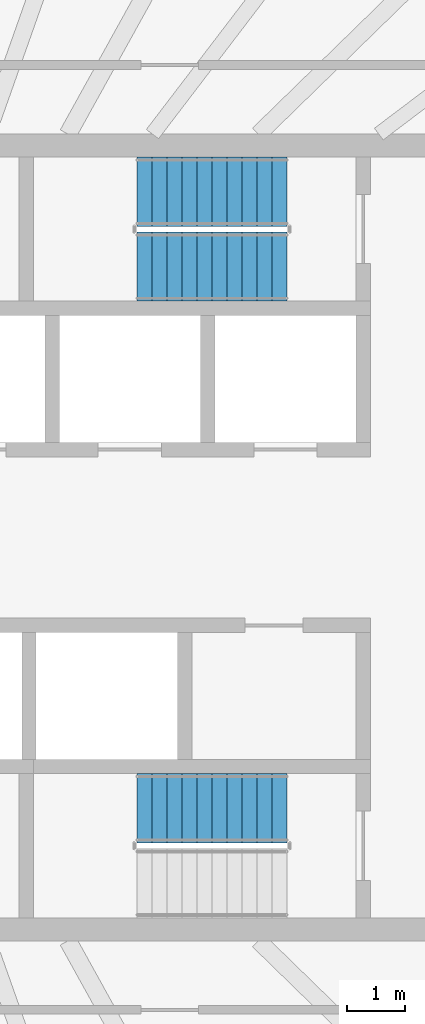
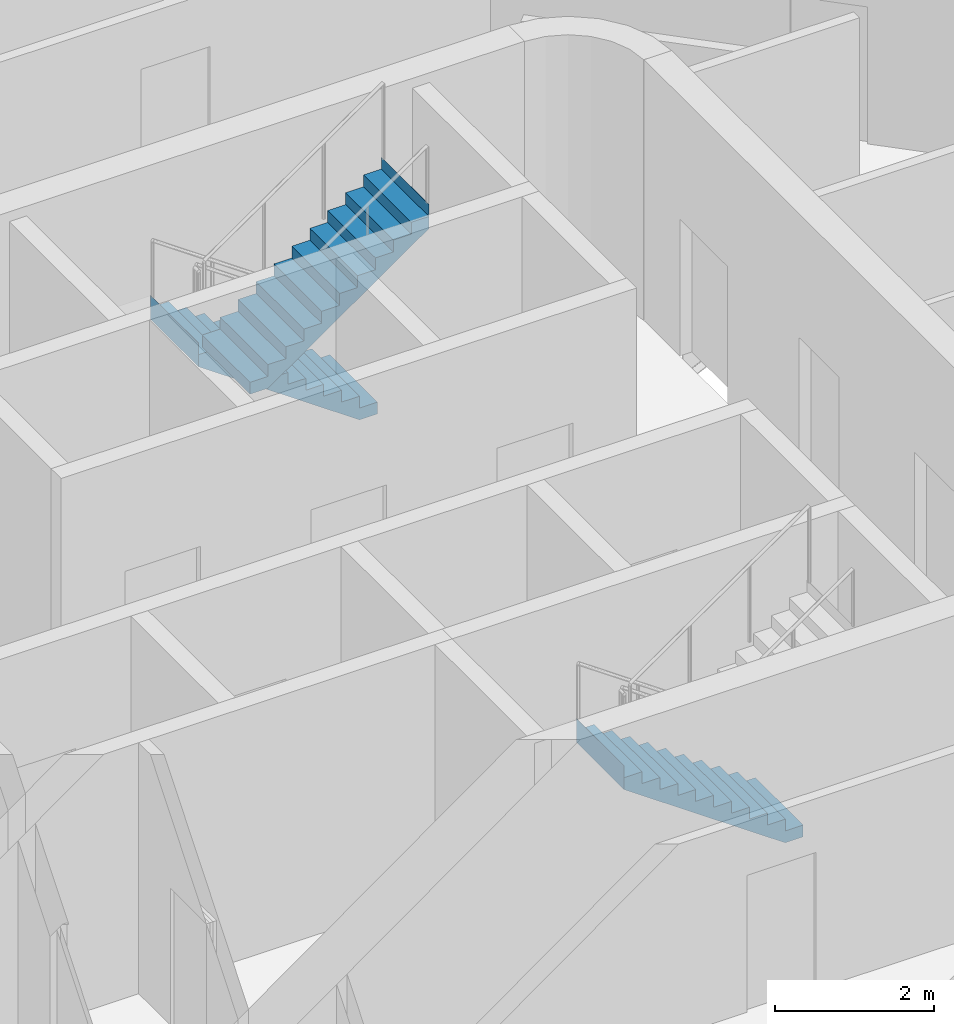
# One storey, part 13 of 18: 3 stair flights, 2 elements without a shape of their own.
"""IFC4 building model written with IfcOpenShell, lengths in metres."""

from ifc_helpers import new_model, si_unit, direction, frame, origin, place, context, subcontext, project, spatial, triangles, material, type_object, element, aggregate, save


model = new_model("IFC4")

# Units and contexts
model_context = context("Model", 3, precision=1e-05, world=origin(), true_north=direction((0.0, 1.0)))
body_context = subcontext(model_context, "Body", "Model", "MODEL_VIEW")
ifc_project = project(units=[si_unit("LENGTHUNIT", "METRE"), si_unit("AREAUNIT", "SQUARE_METRE"), si_unit("VOLUMEUNIT", "CUBIC_METRE"), si_unit("PLANEANGLEUNIT", "RADIAN"), si_unit("MASSUNIT", "GRAM", prefix="KILO")], contexts=[model_context])

# Site, building, storey
site_placement = place(None, origin())
site = spatial("IfcSite", under=ifc_project, at=site_placement, CompositionType="ELEMENT")
building_placement = place(site_placement, origin())
building = spatial("IfcBuilding", under=site, at=building_placement, Name="Sahrelin Media Tower", CompositionType="ELEMENT")
storey_placement = place(building_placement, frame((0.0, 0.0, 308.39990234375)))
storey = spatial("IfcBuildingStorey", under=building, at=storey_placement, Name="L68", CompositionType="ELEMENT", Elevation=308.39990234375)

# Stair, stair flights
ifc_material = material(Name="Concrete C40/50", Category="concrete")
stair_type = type_object("IfcStairType", Name="Exit stair 1200", PredefinedType="HALF_TURN_STAIR", material=ifc_material)
placement = place(storey_placement, origin())
stair_1 = element("IfcStair", 1, at=placement, inside=storey, type_object=stair_type, Name="L68 Exit stair ST3", PredefinedType="HALF_TURN_STAIR")
stair_flight_type = type_object("IfcStairFlightType", Name="Stair flight 1200", PredefinedType="STRAIGHT", material=ifc_material)
stair_flight_1_placement = place(storey_placement, frame((7.675048828125, 6.0, 0.0), z_axis=(0.0, 0.0, 1.0), x_axis=(-1.0, 0.0, 0.0)))
stair_flight_1 = element("IfcStairFlight", 2, at=stair_flight_1_placement, type_object=stair_flight_type, Name="ST3 flight 1", NumberOfRisers=11, NumberOfTreads=10, PredefinedType="STRAIGHT", RiserHeight=0.181818182, TreadLength=0.26, context=body_context, shape_type="Tessellation", body=[
    triangles([(0.261474609375, 0.60009765625, 0.0), (0.261474609375, 0.300048828125, 0.0), (0.261474609375, 0.0, 0.0), (0.261474609375, -0.300048828125, 0.0), (0.261474609375, -0.60009765625, 0.0), (2.60009765625, 0.60009765625, 1.63525390625), (2.60009765625, 0.300048828125, 1.63525390625), (2.60009765625, 0.0, 1.63525390625), (2.60009765625, -0.300048828125, 1.63525390625), (2.60009765625, -0.60009765625, 1.63525390625), (2.60009765625, 0.60009765625, 2.0), (2.60009765625, 0.300048828125, 2.0), (2.60009765625, 0.0, 2.0), (2.60009765625, -0.300048828125, 2.0), (2.60009765625, -0.60009765625, 2.0), (2.597900390625, 0.60009765625, 2.0), (2.597900390625, 0.300048828125, 2.0), (2.597900390625, 0.0, 2.0), (2.597900390625, -0.300048828125, 2.0), (2.597900390625, -0.60009765625, 2.0), (2.597900390625, 0.60009765625, 1.818115234375), (2.597900390625, 0.300048828125, 1.818115234375), (2.597900390625, 0.0, 1.818115234375), (2.597900390625, -0.300048828125, 1.818115234375), (2.597900390625, -0.60009765625, 1.818115234375), (2.340087890625, 0.60009765625, 1.818115234375), (2.340087890625, 0.300048828125, 1.818115234375), (2.340087890625, 0.0, 1.818115234375), (2.340087890625, -0.300048828125, 1.818115234375), (2.340087890625, -0.60009765625, 1.818115234375), (2.340087890625, 0.60009765625, 1.636474609375), (2.340087890625, 0.300048828125, 1.636474609375), (2.340087890625, 0.0, 1.636474609375), (2.340087890625, -0.300048828125, 1.636474609375), (2.340087890625, -0.60009765625, 1.636474609375), (2.080078125, 0.60009765625, 1.636474609375), (2.080078125, 0.300048828125, 1.636474609375), (2.080078125, 0.0, 1.636474609375), (2.080078125, -0.300048828125, 1.636474609375), (2.080078125, -0.60009765625, 1.636474609375), (2.080078125, 0.60009765625, 1.45458984375), (2.080078125, 0.300048828125, 1.45458984375), (2.080078125, 0.0, 1.45458984375), (2.080078125, -0.300048828125, 1.45458984375), (2.080078125, -0.60009765625, 1.45458984375), (1.820068359375, 0.60009765625, 1.45458984375), (1.820068359375, 0.300048828125, 1.45458984375), (1.820068359375, 0.0, 1.45458984375), (1.820068359375, -0.300048828125, 1.45458984375), (1.820068359375, -0.60009765625, 1.45458984375), (1.820068359375, 0.60009765625, 1.272705078125), (1.820068359375, 0.300048828125, 1.272705078125), (1.820068359375, 0.0, 1.272705078125), (1.820068359375, -0.300048828125, 1.272705078125), (1.820068359375, -0.60009765625, 1.272705078125), (1.56005859375, 0.60009765625, 1.272705078125), (1.56005859375, 0.300048828125, 1.272705078125), (1.56005859375, 0.0, 1.272705078125), (1.56005859375, -0.300048828125, 1.272705078125), (1.56005859375, -0.60009765625, 1.272705078125), (1.56005859375, 0.60009765625, 1.0908203125), (1.56005859375, 0.300048828125, 1.0908203125), (1.56005859375, 0.0, 1.0908203125), (1.56005859375, -0.300048828125, 1.0908203125), (1.56005859375, -0.60009765625, 1.0908203125), (1.300048828125, 0.60009765625, 1.0908203125), (1.300048828125, 0.300048828125, 1.0908203125), (1.300048828125, 0.0, 1.0908203125), (1.300048828125, -0.300048828125, 1.0908203125), (1.300048828125, -0.60009765625, 1.0908203125), (1.300048828125, 0.60009765625, 0.9091796875), (1.300048828125, 0.300048828125, 0.9091796875), (1.300048828125, 0.0, 0.9091796875), (1.300048828125, -0.300048828125, 0.9091796875), (1.300048828125, -0.60009765625, 0.9091796875), (1.0400390625, 0.60009765625, 0.9091796875), (1.0400390625, 0.300048828125, 0.9091796875), (1.0400390625, 0.0, 0.9091796875), (1.0400390625, -0.300048828125, 0.9091796875), (1.0400390625, -0.60009765625, 0.9091796875), (1.0400390625, 0.60009765625, 0.727294921875), (1.0400390625, 0.300048828125, 0.727294921875), (1.0400390625, 0.0, 0.727294921875), (1.0400390625, -0.300048828125, 0.727294921875), (1.0400390625, -0.60009765625, 0.727294921875), (0.780029296875, 0.60009765625, 0.727294921875), (0.780029296875, 0.300048828125, 0.727294921875), (0.780029296875, 0.0, 0.727294921875), (0.780029296875, -0.300048828125, 0.727294921875), (0.780029296875, -0.60009765625, 0.727294921875), (0.780029296875, 0.60009765625, 0.54541015625), (0.780029296875, 0.300048828125, 0.54541015625), (0.780029296875, 0.0, 0.54541015625), (0.780029296875, -0.300048828125, 0.54541015625), (0.780029296875, -0.60009765625, 0.54541015625), (0.52001953125, 0.60009765625, 0.54541015625), (0.52001953125, 0.300048828125, 0.54541015625), (0.52001953125, 0.0, 0.54541015625), (0.52001953125, -0.300048828125, 0.54541015625), (0.52001953125, -0.60009765625, 0.54541015625), (0.52001953125, 0.60009765625, 0.363525390625), (0.52001953125, 0.300048828125, 0.363525390625), (0.52001953125, 0.0, 0.363525390625), (0.52001953125, -0.300048828125, 0.363525390625), (0.52001953125, -0.60009765625, 0.363525390625), (0.260009765625, 0.60009765625, 0.363525390625), (0.260009765625, 0.300048828125, 0.363525390625), (0.260009765625, 0.0, 0.363525390625), (0.260009765625, -0.300048828125, 0.363525390625), (0.260009765625, -0.60009765625, 0.363525390625), (0.260009765625, 0.60009765625, 0.181884765625), (0.260009765625, 0.300048828125, 0.181884765625), (0.260009765625, 0.0, 0.181884765625), (0.260009765625, -0.300048828125, 0.181884765625), (0.260009765625, -0.60009765625, 0.181884765625), (0.0, 0.60009765625, 0.181884765625), (0.0, 0.300048828125, 0.181884765625), (0.0, 0.0, 0.181884765625), (0.0, -0.300048828125, 0.181884765625), (0.0, -0.60009765625, 0.181884765625), (0.0, 0.60009765625, 0.0), (0.0, 0.300048828125, 0.0), (0.0, 0.0, 0.0), (0.0, -0.300048828125, 0.0), (0.0, -0.60009765625, 0.0)], [[1, 6, 7], [1, 7, 2], [2, 7, 8], [2, 8, 3], [3, 8, 9], [3, 9, 4], [4, 9, 10], [4, 10, 5], [6, 11, 12], [6, 12, 7], [7, 12, 13], [7, 13, 8], [8, 13, 14], [8, 14, 9], [9, 14, 15], [9, 15, 10], [11, 16, 17], [11, 17, 12], [12, 17, 18], [12, 18, 13], [13, 18, 19], [13, 19, 14], [14, 19, 20], [14, 20, 15], [16, 21, 22], [16, 22, 17], [17, 22, 23], [17, 23, 18], [18, 23, 24], [18, 24, 19], [19, 24, 25], [19, 25, 20], [21, 26, 27], [21, 27, 22], [22, 27, 28], [22, 28, 23], [23, 28, 29], [23, 29, 24], [24, 29, 30], [24, 30, 25], [26, 31, 32], [26, 32, 27], [27, 32, 33], [27, 33, 28], [28, 33, 34], [28, 34, 29], [29, 34, 35], [29, 35, 30], [31, 36, 37], [31, 37, 32], [32, 37, 38], [32, 38, 33], [33, 38, 39], [33, 39, 34], [34, 39, 40], [34, 40, 35], [36, 41, 42], [36, 42, 37], [37, 42, 43], [37, 43, 38], [38, 43, 44], [38, 44, 39], [39, 44, 45], [39, 45, 40], [41, 46, 47], [41, 47, 42], [42, 47, 48], [42, 48, 43], [43, 48, 49], [43, 49, 44], [44, 49, 50], [44, 50, 45], [46, 51, 52], [46, 52, 47], [47, 52, 53], [47, 53, 48], [48, 53, 54], [48, 54, 49], [49, 54, 55], [49, 55, 50], [51, 56, 57], [51, 57, 52], [52, 57, 58], [52, 58, 53], [53, 58, 59], [53, 59, 54], [54, 59, 60], [54, 60, 55], [56, 61, 62], [56, 62, 57], [57, 62, 63], [57, 63, 58], [58, 63, 64], [58, 64, 59], [59, 64, 65], [59, 65, 60], [61, 66, 67], [61, 67, 62], [62, 67, 68], [62, 68, 63], [63, 68, 69], [63, 69, 64], [64, 69, 70], [64, 70, 65], [66, 71, 72], [66, 72, 67], [67, 72, 73], [67, 73, 68], [68, 73, 74], [68, 74, 69], [69, 74, 75], [69, 75, 70], [71, 76, 77], [71, 77, 72], [72, 77, 78], [72, 78, 73], [73, 78, 79], [73, 79, 74], [74, 79, 80], [74, 80, 75], [76, 81, 82], [76, 82, 77], [77, 82, 83], [77, 83, 78], [78, 83, 84], [78, 84, 79], [79, 84, 85], [79, 85, 80], [81, 86, 87], [81, 87, 82], [82, 87, 88], [82, 88, 83], [83, 88, 89], [83, 89, 84], [84, 89, 90], [84, 90, 85], [86, 91, 92], [86, 92, 87], [87, 92, 93], [87, 93, 88], [88, 93, 94], [88, 94, 89], [89, 94, 95], [89, 95, 90], [91, 96, 97], [91, 97, 92], [92, 97, 98], [92, 98, 93], [93, 98, 99], [93, 99, 94], [94, 99, 100], [94, 100, 95], [96, 101, 102], [96, 102, 97], [97, 102, 103], [97, 103, 98], [98, 103, 104], [98, 104, 99], [99, 104, 105], [99, 105, 100], [101, 106, 107], [101, 107, 102], [102, 107, 108], [102, 108, 103], [103, 108, 109], [103, 109, 104], [104, 109, 110], [104, 110, 105], [106, 111, 112], [106, 112, 107], [107, 112, 113], [107, 113, 108], [108, 113, 114], [108, 114, 109], [109, 114, 115], [109, 115, 110], [111, 116, 117], [111, 117, 112], [112, 117, 118], [112, 118, 113], [113, 118, 119], [113, 119, 114], [114, 119, 120], [114, 120, 115], [116, 121, 122], [116, 122, 117], [117, 122, 123], [117, 123, 118], [118, 123, 124], [118, 124, 119], [119, 124, 125], [119, 125, 120], [121, 1, 2], [121, 2, 122], [122, 2, 3], [122, 3, 123], [123, 3, 4], [123, 4, 124], [124, 4, 5], [124, 5, 125], [115, 120, 125], [111, 121, 116], [115, 105, 110], [111, 106, 101], [105, 95, 100], [101, 96, 91], [95, 85, 90], [91, 86, 81], [85, 75, 80], [81, 76, 71], [75, 65, 70], [71, 66, 61], [65, 55, 60], [61, 56, 51], [55, 45, 50], [51, 46, 41], [45, 35, 40], [41, 36, 31], [35, 25, 30], [31, 26, 21], [25, 15, 20], [21, 16, 11], [125, 5, 115], [121, 111, 1], [25, 10, 15], [21, 11, 6], [105, 115, 5], [101, 1, 111], [35, 10, 25], [31, 21, 6], [95, 105, 5], [91, 1, 101], [45, 10, 35], [41, 31, 6], [85, 95, 5], [81, 1, 91], [55, 10, 45], [51, 41, 6], [75, 85, 5], [71, 1, 81], [65, 10, 55], [61, 51, 6], [5, 10, 75], [1, 71, 6], [75, 10, 65], [71, 61, 6]], closed=True),
])
stair_flight_2_placement = place(storey_placement, frame((5.074951171875, 4.699951171875, 2.0), z_axis=(0.0, 0.0, 1.0), x_axis=(1.0, 0.0, 0.0)))
stair_flight_2 = element("IfcStairFlight", 3, at=stair_flight_2_placement, type_object=stair_flight_type, Name="ST3 flight 2", NumberOfRisers=11, NumberOfTreads=10, PredefinedType="STRAIGHT", RiserHeight=0.181818182, TreadLength=0.26, context=body_context, shape_type="Tessellation", body=[
    triangles([(0.261474609375, 0.60009765625, 0.0), (0.261474609375, 0.300048828125, 0.0), (0.261474609375, 0.0, 0.0), (0.261474609375, -0.300048828125, 0.0), (0.261474609375, -0.60009765625, 0.0), (2.60009765625, 0.60009765625, 1.63525390625), (2.60009765625, 0.300048828125, 1.63525390625), (2.60009765625, 0.0, 1.63525390625), (2.60009765625, -0.300048828125, 1.63525390625), (2.60009765625, -0.60009765625, 1.63525390625), (2.60009765625, 0.60009765625, 2.0), (2.60009765625, 0.300048828125, 2.0), (2.60009765625, 0.0, 2.0), (2.60009765625, -0.300048828125, 2.0), (2.60009765625, -0.60009765625, 2.0), (2.597900390625, 0.60009765625, 2.0), (2.597900390625, 0.300048828125, 2.0), (2.597900390625, 0.0, 2.0), (2.597900390625, -0.300048828125, 2.0), (2.597900390625, -0.60009765625, 2.0), (2.597900390625, 0.60009765625, 1.818115234375), (2.597900390625, 0.300048828125, 1.818115234375), (2.597900390625, 0.0, 1.818115234375), (2.597900390625, -0.300048828125, 1.818115234375), (2.597900390625, -0.60009765625, 1.818115234375), (2.340087890625, 0.60009765625, 1.818115234375), (2.340087890625, 0.300048828125, 1.818115234375), (2.340087890625, 0.0, 1.818115234375), (2.340087890625, -0.300048828125, 1.818115234375), (2.340087890625, -0.60009765625, 1.818115234375), (2.340087890625, 0.60009765625, 1.636474609375), (2.340087890625, 0.300048828125, 1.636474609375), (2.340087890625, 0.0, 1.636474609375), (2.340087890625, -0.300048828125, 1.636474609375), (2.340087890625, -0.60009765625, 1.636474609375), (2.080078125, 0.60009765625, 1.636474609375), (2.080078125, 0.300048828125, 1.636474609375), (2.080078125, 0.0, 1.636474609375), (2.080078125, -0.300048828125, 1.636474609375), (2.080078125, -0.60009765625, 1.636474609375), (2.080078125, 0.60009765625, 1.45458984375), (2.080078125, 0.300048828125, 1.45458984375), (2.080078125, 0.0, 1.45458984375), (2.080078125, -0.300048828125, 1.45458984375), (2.080078125, -0.60009765625, 1.45458984375), (1.820068359375, 0.60009765625, 1.45458984375), (1.820068359375, 0.300048828125, 1.45458984375), (1.820068359375, 0.0, 1.45458984375), (1.820068359375, -0.300048828125, 1.45458984375), (1.820068359375, -0.60009765625, 1.45458984375), (1.820068359375, 0.60009765625, 1.272705078125), (1.820068359375, 0.300048828125, 1.272705078125), (1.820068359375, 0.0, 1.272705078125), (1.820068359375, -0.300048828125, 1.272705078125), (1.820068359375, -0.60009765625, 1.272705078125), (1.56005859375, 0.60009765625, 1.272705078125), (1.56005859375, 0.300048828125, 1.272705078125), (1.56005859375, 0.0, 1.272705078125), (1.56005859375, -0.300048828125, 1.272705078125), (1.56005859375, -0.60009765625, 1.272705078125), (1.56005859375, 0.60009765625, 1.0908203125), (1.56005859375, 0.300048828125, 1.0908203125), (1.56005859375, 0.0, 1.0908203125), (1.56005859375, -0.300048828125, 1.0908203125), (1.56005859375, -0.60009765625, 1.0908203125), (1.300048828125, 0.60009765625, 1.0908203125), (1.300048828125, 0.300048828125, 1.0908203125), (1.300048828125, 0.0, 1.0908203125), (1.300048828125, -0.300048828125, 1.0908203125), (1.300048828125, -0.60009765625, 1.0908203125), (1.300048828125, 0.60009765625, 0.9091796875), (1.300048828125, 0.300048828125, 0.9091796875), (1.300048828125, 0.0, 0.9091796875), (1.300048828125, -0.300048828125, 0.9091796875), (1.300048828125, -0.60009765625, 0.9091796875), (1.0400390625, 0.60009765625, 0.9091796875), (1.0400390625, 0.300048828125, 0.9091796875), (1.0400390625, 0.0, 0.9091796875), (1.0400390625, -0.300048828125, 0.9091796875), (1.0400390625, -0.60009765625, 0.9091796875), (1.0400390625, 0.60009765625, 0.727294921875), (1.0400390625, 0.300048828125, 0.727294921875), (1.0400390625, 0.0, 0.727294921875), (1.0400390625, -0.300048828125, 0.727294921875), (1.0400390625, -0.60009765625, 0.727294921875), (0.780029296875, 0.60009765625, 0.727294921875), (0.780029296875, 0.300048828125, 0.727294921875), (0.780029296875, 0.0, 0.727294921875), (0.780029296875, -0.300048828125, 0.727294921875), (0.780029296875, -0.60009765625, 0.727294921875), (0.780029296875, 0.60009765625, 0.54541015625), (0.780029296875, 0.300048828125, 0.54541015625), (0.780029296875, 0.0, 0.54541015625), (0.780029296875, -0.300048828125, 0.54541015625), (0.780029296875, -0.60009765625, 0.54541015625), (0.52001953125, 0.60009765625, 0.54541015625), (0.52001953125, 0.300048828125, 0.54541015625), (0.52001953125, 0.0, 0.54541015625), (0.52001953125, -0.300048828125, 0.54541015625), (0.52001953125, -0.60009765625, 0.54541015625), (0.52001953125, 0.60009765625, 0.363525390625), (0.52001953125, 0.300048828125, 0.363525390625), (0.52001953125, 0.0, 0.363525390625), (0.52001953125, -0.300048828125, 0.363525390625), (0.52001953125, -0.60009765625, 0.363525390625), (0.260009765625, 0.60009765625, 0.363525390625), (0.260009765625, 0.300048828125, 0.363525390625), (0.260009765625, 0.0, 0.363525390625), (0.260009765625, -0.300048828125, 0.363525390625), (0.260009765625, -0.60009765625, 0.363525390625), (0.260009765625, 0.60009765625, 0.181884765625), (0.260009765625, 0.300048828125, 0.181884765625), (0.260009765625, 0.0, 0.181884765625), (0.260009765625, -0.300048828125, 0.181884765625), (0.260009765625, -0.60009765625, 0.181884765625), (0.0, 0.60009765625, 0.181884765625), (0.0, 0.300048828125, 0.181884765625), (0.0, 0.0, 0.181884765625), (0.0, -0.300048828125, 0.181884765625), (0.0, -0.60009765625, 0.181884765625), (0.0, 0.60009765625, 0.0), (0.0, 0.300048828125, 0.0), (0.0, 0.0, 0.0), (0.0, -0.300048828125, 0.0), (0.0, -0.60009765625, 0.0)], [[1, 6, 7], [1, 7, 2], [2, 7, 8], [2, 8, 3], [3, 8, 9], [3, 9, 4], [4, 9, 10], [4, 10, 5], [6, 11, 12], [6, 12, 7], [7, 12, 13], [7, 13, 8], [8, 13, 14], [8, 14, 9], [9, 14, 15], [9, 15, 10], [11, 16, 17], [11, 17, 12], [12, 17, 18], [12, 18, 13], [13, 18, 19], [13, 19, 14], [14, 19, 20], [14, 20, 15], [16, 21, 22], [16, 22, 17], [17, 22, 23], [17, 23, 18], [18, 23, 24], [18, 24, 19], [19, 24, 25], [19, 25, 20], [21, 26, 27], [21, 27, 22], [22, 27, 28], [22, 28, 23], [23, 28, 29], [23, 29, 24], [24, 29, 30], [24, 30, 25], [26, 31, 32], [26, 32, 27], [27, 32, 33], [27, 33, 28], [28, 33, 34], [28, 34, 29], [29, 34, 35], [29, 35, 30], [31, 36, 37], [31, 37, 32], [32, 37, 38], [32, 38, 33], [33, 38, 39], [33, 39, 34], [34, 39, 40], [34, 40, 35], [36, 41, 42], [36, 42, 37], [37, 42, 43], [37, 43, 38], [38, 43, 44], [38, 44, 39], [39, 44, 45], [39, 45, 40], [41, 46, 47], [41, 47, 42], [42, 47, 48], [42, 48, 43], [43, 48, 49], [43, 49, 44], [44, 49, 50], [44, 50, 45], [46, 51, 52], [46, 52, 47], [47, 52, 53], [47, 53, 48], [48, 53, 54], [48, 54, 49], [49, 54, 55], [49, 55, 50], [51, 56, 57], [51, 57, 52], [52, 57, 58], [52, 58, 53], [53, 58, 59], [53, 59, 54], [54, 59, 60], [54, 60, 55], [56, 61, 62], [56, 62, 57], [57, 62, 63], [57, 63, 58], [58, 63, 64], [58, 64, 59], [59, 64, 65], [59, 65, 60], [61, 66, 67], [61, 67, 62], [62, 67, 68], [62, 68, 63], [63, 68, 69], [63, 69, 64], [64, 69, 70], [64, 70, 65], [66, 71, 72], [66, 72, 67], [67, 72, 73], [67, 73, 68], [68, 73, 74], [68, 74, 69], [69, 74, 75], [69, 75, 70], [71, 76, 77], [71, 77, 72], [72, 77, 78], [72, 78, 73], [73, 78, 79], [73, 79, 74], [74, 79, 80], [74, 80, 75], [76, 81, 82], [76, 82, 77], [77, 82, 83], [77, 83, 78], [78, 83, 84], [78, 84, 79], [79, 84, 85], [79, 85, 80], [81, 86, 87], [81, 87, 82], [82, 87, 88], [82, 88, 83], [83, 88, 89], [83, 89, 84], [84, 89, 90], [84, 90, 85], [86, 91, 92], [86, 92, 87], [87, 92, 93], [87, 93, 88], [88, 93, 94], [88, 94, 89], [89, 94, 95], [89, 95, 90], [91, 96, 97], [91, 97, 92], [92, 97, 98], [92, 98, 93], [93, 98, 99], [93, 99, 94], [94, 99, 100], [94, 100, 95], [96, 101, 102], [96, 102, 97], [97, 102, 103], [97, 103, 98], [98, 103, 104], [98, 104, 99], [99, 104, 105], [99, 105, 100], [101, 106, 107], [101, 107, 102], [102, 107, 108], [102, 108, 103], [103, 108, 109], [103, 109, 104], [104, 109, 110], [104, 110, 105], [106, 111, 112], [106, 112, 107], [107, 112, 113], [107, 113, 108], [108, 113, 114], [108, 114, 109], [109, 114, 115], [109, 115, 110], [111, 116, 117], [111, 117, 112], [112, 117, 118], [112, 118, 113], [113, 118, 119], [113, 119, 114], [114, 119, 120], [114, 120, 115], [116, 121, 122], [116, 122, 117], [117, 122, 123], [117, 123, 118], [118, 123, 124], [118, 124, 119], [119, 124, 125], [119, 125, 120], [121, 1, 2], [121, 2, 122], [122, 2, 3], [122, 3, 123], [123, 3, 4], [123, 4, 124], [124, 4, 5], [124, 5, 125], [115, 120, 125], [111, 121, 116], [115, 105, 110], [111, 106, 101], [105, 95, 100], [101, 96, 91], [95, 85, 90], [91, 86, 81], [85, 75, 80], [81, 76, 71], [75, 65, 70], [71, 66, 61], [65, 55, 60], [61, 56, 51], [55, 45, 50], [51, 46, 41], [45, 35, 40], [41, 36, 31], [35, 25, 30], [31, 26, 21], [25, 15, 20], [21, 16, 11], [125, 5, 115], [121, 111, 1], [25, 10, 15], [21, 11, 6], [105, 115, 5], [101, 1, 111], [35, 10, 25], [31, 21, 6], [95, 105, 5], [91, 1, 101], [45, 10, 35], [41, 31, 6], [85, 95, 5], [81, 1, 91], [55, 10, 45], [51, 41, 6], [75, 85, 5], [71, 1, 81], [65, 10, 55], [61, 51, 6], [5, 10, 75], [1, 71, 6], [75, 10, 65], [71, 61, 6]], closed=True),
])
aggregate(stair_1, [stair_flight_1, stair_flight_2])

# Stair, stair flight
stair_2 = element("IfcStair", 4, at=placement, inside=storey, type_object=stair_type, Name="L68 Exit stair ST2", PredefinedType="HALF_TURN_STAIR")
stair_flight_3_placement = place(storey_placement, frame((7.675048828125, -4.699951171875, 0.0), z_axis=(0.0, 0.0, 1.0), x_axis=(-1.0, 0.0, 0.0)))
stair_flight_3 = element("IfcStairFlight", 5, at=stair_flight_3_placement, type_object=stair_flight_type, Name="ST2 flight 1", NumberOfRisers=11, NumberOfTreads=10, PredefinedType="STRAIGHT", RiserHeight=0.181818182, TreadLength=0.26, context=body_context, shape_type="Tessellation", body=[
    triangles([(0.261474609375, 0.60009765625, 0.0), (0.261474609375, 0.300048828125, 0.0), (0.261474609375, 0.0, 0.0), (0.261474609375, -0.300048828125, 0.0), (0.261474609375, -0.60009765625, 0.0), (2.60009765625, 0.60009765625, 1.63525390625), (2.60009765625, 0.300048828125, 1.63525390625), (2.60009765625, 0.0, 1.63525390625), (2.60009765625, -0.300048828125, 1.63525390625), (2.60009765625, -0.60009765625, 1.63525390625), (2.60009765625, 0.60009765625, 2.0), (2.60009765625, 0.300048828125, 2.0), (2.60009765625, 0.0, 2.0), (2.60009765625, -0.300048828125, 2.0), (2.60009765625, -0.60009765625, 2.0), (2.597900390625, 0.60009765625, 2.0), (2.597900390625, 0.300048828125, 2.0), (2.597900390625, 0.0, 2.0), (2.597900390625, -0.300048828125, 2.0), (2.597900390625, -0.60009765625, 2.0), (2.597900390625, 0.60009765625, 1.818115234375), (2.597900390625, 0.300048828125, 1.818115234375), (2.597900390625, 0.0, 1.818115234375), (2.597900390625, -0.300048828125, 1.818115234375), (2.597900390625, -0.60009765625, 1.818115234375), (2.340087890625, 0.60009765625, 1.818115234375), (2.340087890625, 0.300048828125, 1.818115234375), (2.340087890625, 0.0, 1.818115234375), (2.340087890625, -0.300048828125, 1.818115234375), (2.340087890625, -0.60009765625, 1.818115234375), (2.340087890625, 0.60009765625, 1.636474609375), (2.340087890625, 0.300048828125, 1.636474609375), (2.340087890625, 0.0, 1.636474609375), (2.340087890625, -0.300048828125, 1.636474609375), (2.340087890625, -0.60009765625, 1.636474609375), (2.080078125, 0.60009765625, 1.636474609375), (2.080078125, 0.300048828125, 1.636474609375), (2.080078125, 0.0, 1.636474609375), (2.080078125, -0.300048828125, 1.636474609375), (2.080078125, -0.60009765625, 1.636474609375), (2.080078125, 0.60009765625, 1.45458984375), (2.080078125, 0.300048828125, 1.45458984375), (2.080078125, 0.0, 1.45458984375), (2.080078125, -0.300048828125, 1.45458984375), (2.080078125, -0.60009765625, 1.45458984375), (1.820068359375, 0.60009765625, 1.45458984375), (1.820068359375, 0.300048828125, 1.45458984375), (1.820068359375, 0.0, 1.45458984375), (1.820068359375, -0.300048828125, 1.45458984375), (1.820068359375, -0.60009765625, 1.45458984375), (1.820068359375, 0.60009765625, 1.272705078125), (1.820068359375, 0.300048828125, 1.272705078125), (1.820068359375, 0.0, 1.272705078125), (1.820068359375, -0.300048828125, 1.272705078125), (1.820068359375, -0.60009765625, 1.272705078125), (1.56005859375, 0.60009765625, 1.272705078125), (1.56005859375, 0.300048828125, 1.272705078125), (1.56005859375, 0.0, 1.272705078125), (1.56005859375, -0.300048828125, 1.272705078125), (1.56005859375, -0.60009765625, 1.272705078125), (1.56005859375, 0.60009765625, 1.0908203125), (1.56005859375, 0.300048828125, 1.0908203125), (1.56005859375, 0.0, 1.0908203125), (1.56005859375, -0.300048828125, 1.0908203125), (1.56005859375, -0.60009765625, 1.0908203125), (1.300048828125, 0.60009765625, 1.0908203125), (1.300048828125, 0.300048828125, 1.0908203125), (1.300048828125, 0.0, 1.0908203125), (1.300048828125, -0.300048828125, 1.0908203125), (1.300048828125, -0.60009765625, 1.0908203125), (1.300048828125, 0.60009765625, 0.9091796875), (1.300048828125, 0.300048828125, 0.9091796875), (1.300048828125, 0.0, 0.9091796875), (1.300048828125, -0.300048828125, 0.9091796875), (1.300048828125, -0.60009765625, 0.9091796875), (1.0400390625, 0.60009765625, 0.9091796875), (1.0400390625, 0.300048828125, 0.9091796875), (1.0400390625, 0.0, 0.9091796875), (1.0400390625, -0.300048828125, 0.9091796875), (1.0400390625, -0.60009765625, 0.9091796875), (1.0400390625, 0.60009765625, 0.727294921875), (1.0400390625, 0.300048828125, 0.727294921875), (1.0400390625, 0.0, 0.727294921875), (1.0400390625, -0.300048828125, 0.727294921875), (1.0400390625, -0.60009765625, 0.727294921875), (0.780029296875, 0.60009765625, 0.727294921875), (0.780029296875, 0.300048828125, 0.727294921875), (0.780029296875, 0.0, 0.727294921875), (0.780029296875, -0.300048828125, 0.727294921875), (0.780029296875, -0.60009765625, 0.727294921875), (0.780029296875, 0.60009765625, 0.54541015625), (0.780029296875, 0.300048828125, 0.54541015625), (0.780029296875, 0.0, 0.54541015625), (0.780029296875, -0.300048828125, 0.54541015625), (0.780029296875, -0.60009765625, 0.54541015625), (0.52001953125, 0.60009765625, 0.54541015625), (0.52001953125, 0.300048828125, 0.54541015625), (0.52001953125, 0.0, 0.54541015625), (0.52001953125, -0.300048828125, 0.54541015625), (0.52001953125, -0.60009765625, 0.54541015625), (0.52001953125, 0.60009765625, 0.363525390625), (0.52001953125, 0.300048828125, 0.363525390625), (0.52001953125, 0.0, 0.363525390625), (0.52001953125, -0.300048828125, 0.363525390625), (0.52001953125, -0.60009765625, 0.363525390625), (0.260009765625, 0.60009765625, 0.363525390625), (0.260009765625, 0.300048828125, 0.363525390625), (0.260009765625, 0.0, 0.363525390625), (0.260009765625, -0.300048828125, 0.363525390625), (0.260009765625, -0.60009765625, 0.363525390625), (0.260009765625, 0.60009765625, 0.181884765625), (0.260009765625, 0.300048828125, 0.181884765625), (0.260009765625, 0.0, 0.181884765625), (0.260009765625, -0.300048828125, 0.181884765625), (0.260009765625, -0.60009765625, 0.181884765625), (0.0, 0.60009765625, 0.181884765625), (0.0, 0.300048828125, 0.181884765625), (0.0, 0.0, 0.181884765625), (0.0, -0.300048828125, 0.181884765625), (0.0, -0.60009765625, 0.181884765625), (0.0, 0.60009765625, 0.0), (0.0, 0.300048828125, 0.0), (0.0, 0.0, 0.0), (0.0, -0.300048828125, 0.0), (0.0, -0.60009765625, 0.0)], [[1, 6, 7], [1, 7, 2], [2, 7, 8], [2, 8, 3], [3, 8, 9], [3, 9, 4], [4, 9, 10], [4, 10, 5], [6, 11, 12], [6, 12, 7], [7, 12, 13], [7, 13, 8], [8, 13, 14], [8, 14, 9], [9, 14, 15], [9, 15, 10], [11, 16, 17], [11, 17, 12], [12, 17, 18], [12, 18, 13], [13, 18, 19], [13, 19, 14], [14, 19, 20], [14, 20, 15], [16, 21, 22], [16, 22, 17], [17, 22, 23], [17, 23, 18], [18, 23, 24], [18, 24, 19], [19, 24, 25], [19, 25, 20], [21, 26, 27], [21, 27, 22], [22, 27, 28], [22, 28, 23], [23, 28, 29], [23, 29, 24], [24, 29, 30], [24, 30, 25], [26, 31, 32], [26, 32, 27], [27, 32, 33], [27, 33, 28], [28, 33, 34], [28, 34, 29], [29, 34, 35], [29, 35, 30], [31, 36, 37], [31, 37, 32], [32, 37, 38], [32, 38, 33], [33, 38, 39], [33, 39, 34], [34, 39, 40], [34, 40, 35], [36, 41, 42], [36, 42, 37], [37, 42, 43], [37, 43, 38], [38, 43, 44], [38, 44, 39], [39, 44, 45], [39, 45, 40], [41, 46, 47], [41, 47, 42], [42, 47, 48], [42, 48, 43], [43, 48, 49], [43, 49, 44], [44, 49, 50], [44, 50, 45], [46, 51, 52], [46, 52, 47], [47, 52, 53], [47, 53, 48], [48, 53, 54], [48, 54, 49], [49, 54, 55], [49, 55, 50], [51, 56, 57], [51, 57, 52], [52, 57, 58], [52, 58, 53], [53, 58, 59], [53, 59, 54], [54, 59, 60], [54, 60, 55], [56, 61, 62], [56, 62, 57], [57, 62, 63], [57, 63, 58], [58, 63, 64], [58, 64, 59], [59, 64, 65], [59, 65, 60], [61, 66, 67], [61, 67, 62], [62, 67, 68], [62, 68, 63], [63, 68, 69], [63, 69, 64], [64, 69, 70], [64, 70, 65], [66, 71, 72], [66, 72, 67], [67, 72, 73], [67, 73, 68], [68, 73, 74], [68, 74, 69], [69, 74, 75], [69, 75, 70], [71, 76, 77], [71, 77, 72], [72, 77, 78], [72, 78, 73], [73, 78, 79], [73, 79, 74], [74, 79, 80], [74, 80, 75], [76, 81, 82], [76, 82, 77], [77, 82, 83], [77, 83, 78], [78, 83, 84], [78, 84, 79], [79, 84, 85], [79, 85, 80], [81, 86, 87], [81, 87, 82], [82, 87, 88], [82, 88, 83], [83, 88, 89], [83, 89, 84], [84, 89, 90], [84, 90, 85], [86, 91, 92], [86, 92, 87], [87, 92, 93], [87, 93, 88], [88, 93, 94], [88, 94, 89], [89, 94, 95], [89, 95, 90], [91, 96, 97], [91, 97, 92], [92, 97, 98], [92, 98, 93], [93, 98, 99], [93, 99, 94], [94, 99, 100], [94, 100, 95], [96, 101, 102], [96, 102, 97], [97, 102, 103], [97, 103, 98], [98, 103, 104], [98, 104, 99], [99, 104, 105], [99, 105, 100], [101, 106, 107], [101, 107, 102], [102, 107, 108], [102, 108, 103], [103, 108, 109], [103, 109, 104], [104, 109, 110], [104, 110, 105], [106, 111, 112], [106, 112, 107], [107, 112, 113], [107, 113, 108], [108, 113, 114], [108, 114, 109], [109, 114, 115], [109, 115, 110], [111, 116, 117], [111, 117, 112], [112, 117, 118], [112, 118, 113], [113, 118, 119], [113, 119, 114], [114, 119, 120], [114, 120, 115], [116, 121, 122], [116, 122, 117], [117, 122, 123], [117, 123, 118], [118, 123, 124], [118, 124, 119], [119, 124, 125], [119, 125, 120], [121, 1, 2], [121, 2, 122], [122, 2, 3], [122, 3, 123], [123, 3, 4], [123, 4, 124], [124, 4, 5], [124, 5, 125], [115, 120, 125], [111, 121, 116], [115, 105, 110], [111, 106, 101], [105, 95, 100], [101, 96, 91], [95, 85, 90], [91, 86, 81], [85, 75, 80], [81, 76, 71], [75, 65, 70], [71, 66, 61], [65, 55, 60], [61, 56, 51], [55, 45, 50], [51, 46, 41], [45, 35, 40], [41, 36, 31], [35, 25, 30], [31, 26, 21], [25, 15, 20], [21, 16, 11], [125, 5, 115], [121, 111, 1], [25, 10, 15], [21, 11, 6], [105, 115, 5], [101, 1, 111], [35, 10, 25], [31, 21, 6], [95, 105, 5], [91, 1, 101], [45, 10, 35], [41, 31, 6], [85, 95, 5], [81, 1, 91], [55, 10, 45], [51, 41, 6], [75, 85, 5], [71, 1, 81], [65, 10, 55], [61, 51, 6], [5, 10, 75], [1, 71, 6], [75, 10, 65], [71, 61, 6]], closed=True),
])
aggregate(stair_2, [stair_flight_3])

save(model, "model.ifc")
